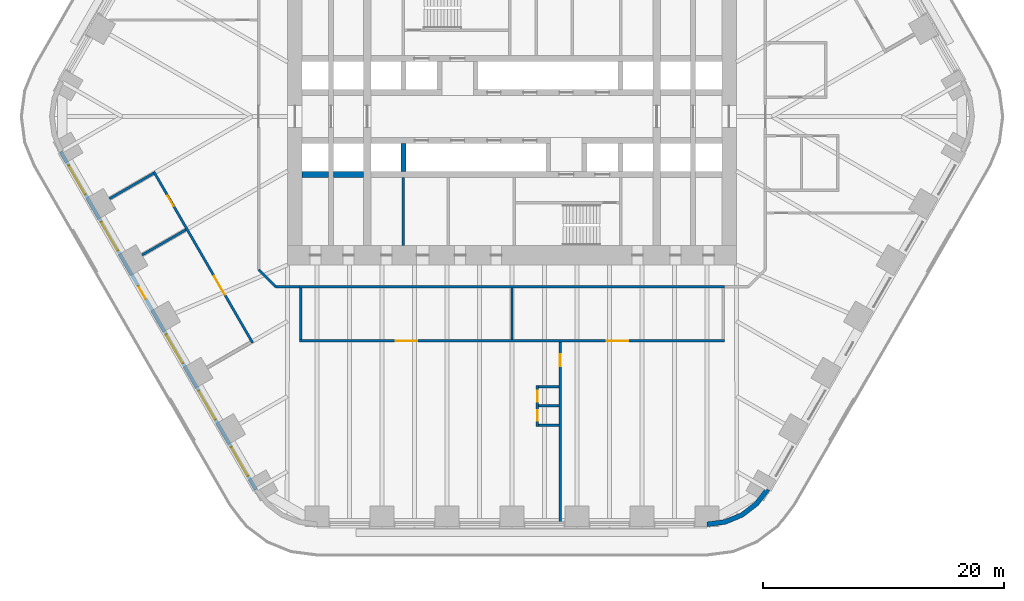
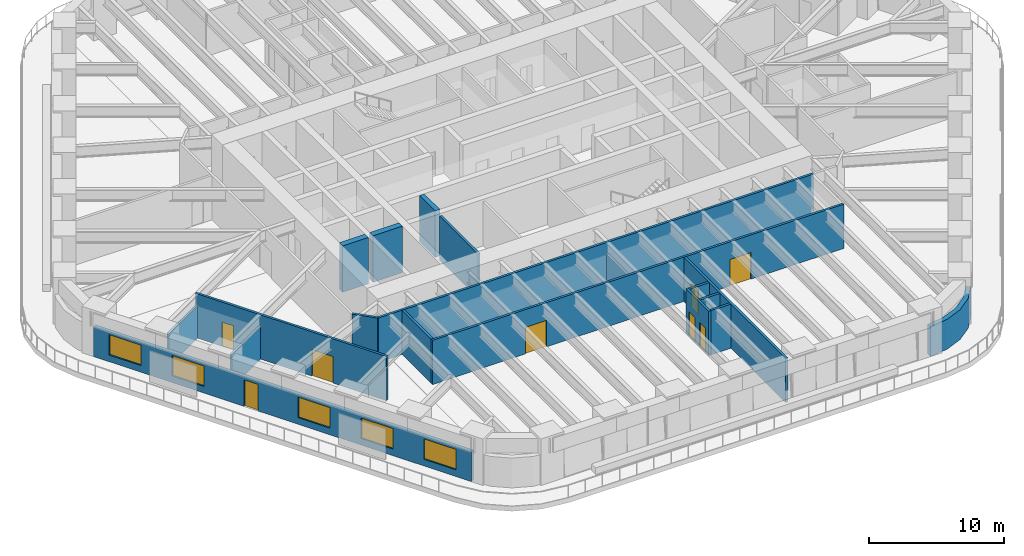
# One storey, part 16 of 24: 20 walls, 8 doors, 5 windows, 13 openings.
"""IFC4 building model written with IfcOpenShell, lengths in metres."""

from ifc_helpers import new_model, si_unit, direction, frame, frame_2d, origin, place, context, subcontext, project, spatial, polyline, rectangle, outline, extrude, material, layer, layer_set, type_object, element, fill, save


model = new_model("IFC4")

# Units and contexts
model_context = context("Model", 3, precision=1e-05, world=origin(), true_north=direction((0.0, 1.0)))
body_context = subcontext(model_context, "Body", "Model", "MODEL_VIEW")
ifc_project = project(units=[si_unit("LENGTHUNIT", "METRE"), si_unit("AREAUNIT", "SQUARE_METRE"), si_unit("VOLUMEUNIT", "CUBIC_METRE"), si_unit("PLANEANGLEUNIT", "RADIAN"), si_unit("MASSUNIT", "GRAM", prefix="KILO")], contexts=[model_context])

# Site, building, storey
site_placement = place(None, origin())
site = spatial("IfcSite", under=ifc_project, at=site_placement, CompositionType="ELEMENT")
building_placement = place(site_placement, origin())
building = spatial("IfcBuilding", under=site, at=building_placement, Name="Tarfa Lantern Tower", CompositionType="ELEMENT")
storey_placement = place(building_placement, frame((0.0, 0.0, 73.89990234375)))
storey = spatial("IfcBuildingStorey", under=building, at=storey_placement, Name="L16", CompositionType="ELEMENT", Elevation=73.89990234375)

# Wall, openings, door, windows
ifc_material_1 = material(Name="Limestone cladding on blockwork", Category="masonry")
ifc_layer_1 = layer(ifc_material_1, 0.300048828125)
ifc_layer_set_1 = layer_set([ifc_layer_1], Name="EW1 STONE-CLAD WALL 300")
wall_type_1 = type_object("IfcWallType", Name="EW1 STONE-CLAD WALL 300", PredefinedType="SOLIDWALL", material=ifc_layer_set_1)
wall_1_placement = place(storey_placement, frame((-37.39794921875, -2.925048828125, 0.0), z_axis=(0.0, 0.0, 1.0), x_axis=(0.499999163675, -0.866025886636, 0.0)))
wall_1 = element("IfcWall", 1, at=wall_1_placement, inside=storey, type_object=wall_type_1, Name="Stone wall SW", PredefinedType="SOLIDWALL", context=body_context, shape_type="SweptSolid", body=[
    extrude(rectangle(XDim=32.33154296875, YDim=0.300048828125, at=frame_2d((16.165771484375, 0.0))), origin(), (0.0, 0.0, 1.0), 2.7001953125),
])
opening_1_placement = place(wall_1_placement, frame((1.3193359375, 0.0, 0.60009765625)))
opening_1 = element("IfcOpeningElement", 2, at=opening_1_placement, cuts=wall_1, Name="Opening W2", PredefinedType="OPENING", context=body_context, shape_type="SweptSolid", body=[
    extrude(rectangle(XDim=2.75, YDim=1.85009765625, at=frame_2d((1.375, 0.925048828125))), frame((0.0, 0.159912109375, 0.0), z_axis=(0.0, -1.0, 0.0), x_axis=(1.0, 0.0, 0.0)), (0.0, 0.0, 1.0), 0.320068359375),
])
opening_2_placement = place(wall_1_placement, frame((6.7080078125, 0.0, 0.60009765625)))
opening_2 = element("IfcOpeningElement", 3, at=opening_2_placement, cuts=wall_1, Name="Opening W2", PredefinedType="OPENING", context=body_context, shape_type="SweptSolid", body=[
    extrude(rectangle(XDim=2.75, YDim=1.85009765625, at=frame_2d((1.375, 0.925048828125))), frame((0.0, 0.159912109375, 0.0), z_axis=(0.0, -1.0, 0.0), x_axis=(1.0, 0.0, 0.0)), (0.0, 0.0, 1.0), 0.320068359375),
])
opening_3_placement = place(wall_1_placement, frame((12.87158203125, 0.0, 0.0)))
opening_3 = element("IfcOpeningElement", 4, at=opening_3_placement, cuts=wall_1, Name="Opening D56", PredefinedType="OPENING", context=body_context, shape_type="SweptSolid", body=[
    extrude(rectangle(XDim=1.199951171875, YDim=2.39990234375, at=frame_2d((0.60009765625, 1.199951171875))), frame((0.0, 0.159912109375, 0.0), z_axis=(0.0, -1.0, 0.0), x_axis=(1.0, 0.0, 0.0)), (0.0, 0.0, 1.0), 0.320068359375),
])
opening_4_placement = place(wall_1_placement, frame((17.485107421875, 0.0, 0.60009765625)))
opening_4 = element("IfcOpeningElement", 5, at=opening_4_placement, cuts=wall_1, Name="Opening W2", PredefinedType="OPENING", context=body_context, shape_type="SweptSolid", body=[
    extrude(rectangle(XDim=2.75, YDim=1.85009765625, at=frame_2d((1.375, 0.925048828125))), frame((0.0, 0.159912109375, 0.0), z_axis=(0.0, -1.0, 0.0), x_axis=(1.0, 0.0, 0.0)), (0.0, 0.0, 1.0), 0.320068359375),
])
opening_5_placement = place(wall_1_placement, frame((22.873779296875, 0.0, 0.60009765625)))
opening_5 = element("IfcOpeningElement", 6, at=opening_5_placement, cuts=wall_1, Name="Opening W2", PredefinedType="OPENING", context=body_context, shape_type="SweptSolid", body=[
    extrude(rectangle(XDim=2.75, YDim=1.85009765625, at=frame_2d((1.375, 0.925048828125))), frame((0.0, 0.159912109375, 0.0), z_axis=(0.0, -1.0, 0.0), x_axis=(1.0, 0.0, 0.0)), (0.0, 0.0, 1.0), 0.320068359375),
])
opening_6_placement = place(wall_1_placement, frame((28.26220703125, 0.0, 0.60009765625)))
opening_6 = element("IfcOpeningElement", 7, at=opening_6_placement, cuts=wall_1, Name="Opening W2", PredefinedType="OPENING", context=body_context, shape_type="SweptSolid", body=[
    extrude(rectangle(XDim=2.75, YDim=1.85009765625, at=frame_2d((1.375, 0.925048828125))), frame((0.0, 0.159912109375, 0.0), z_axis=(0.0, -1.0, 0.0), x_axis=(1.0, 0.0, 0.0)), (0.0, 0.0, 1.0), 0.320068359375),
])
ifc_material_2 = material(Name="Aluminium framed glazed door", Category="aluminium")
door_type_1 = type_object("IfcDoorType", Name="BE3 BALCONY DOOR 1200x2400", OperationType="SINGLE_SWING_RIGHT", PredefinedType="DOOR", material=ifc_material_2)
door_1_placement = place(opening_3_placement, origin())
door_1 = element("IfcDoor", 8, at=door_1_placement, inside=storey, type_object=door_type_1, Name="Balcony door SW", OperationType="SINGLE_SWING_RIGHT", OverallHeight=2.39990234375, OverallWidth=1.199951171875, PredefinedType="DOOR", context=body_context, shape_type="SweptSolid", body=[
    extrude(rectangle(XDim=1.199951171875, YDim=2.39990234375, at=frame_2d((0.60009765625, 1.199951171875))), frame((0.0, 0.02490234375, 0.0), z_axis=(0.0, -1.0, 0.0), x_axis=(1.0, 0.0, 0.0)), (0.0, 0.0, 1.0), 0.050048828125),
])
fill(opening_3, door_1)
ifc_material_3 = material(Name="Aluminium frame, double glazed", Category="aluminium")
window_type = type_object("IfcWindowType", Name="W2 FULL-HEIGHT GLAZING 2750x1850", PartitioningType="SINGLE_PANEL", PredefinedType="WINDOW", material=ifc_material_3)
window_1_placement = place(opening_1_placement, origin())
window_1 = element("IfcWindow", 9, at=window_1_placement, inside=storey, type_object=window_type, Name="Window SW 1", OverallHeight=1.85009765625, OverallWidth=2.75, PartitioningType="SINGLE_PANEL", PredefinedType="WINDOW", context=body_context, shape_type="SweptSolid", body=[
    extrude(rectangle(XDim=2.75, YDim=1.85009765625, at=frame_2d((1.375, 0.925048828125))), frame((0.0, 0.030029296875, 0.0), z_axis=(0.0, -1.0, 0.0), x_axis=(1.0, 0.0, 0.0)), (0.0, 0.0, 1.0), 0.06005859375),
])
fill(opening_1, window_1)
window_2_placement = place(opening_2_placement, origin())
window_2 = element("IfcWindow", 10, at=window_2_placement, inside=storey, type_object=window_type, Name="Window SW 2", OverallHeight=1.85009765625, OverallWidth=2.75, PartitioningType="SINGLE_PANEL", PredefinedType="WINDOW", context=body_context, shape_type="SweptSolid", body=[
    extrude(rectangle(XDim=2.75, YDim=1.85009765625, at=frame_2d((1.375, 0.925048828125))), frame((0.0, 0.030029296875, 0.0), z_axis=(0.0, -1.0, 0.0), x_axis=(1.0, 0.0, 0.0)), (0.0, 0.0, 1.0), 0.06005859375),
])
fill(opening_2, window_2)
window_3_placement = place(opening_4_placement, origin())
window_3 = element("IfcWindow", 11, at=window_3_placement, inside=storey, type_object=window_type, Name="Window SW 4", OverallHeight=1.85009765625, OverallWidth=2.75, PartitioningType="SINGLE_PANEL", PredefinedType="WINDOW", context=body_context, shape_type="SweptSolid", body=[
    extrude(rectangle(XDim=2.75, YDim=1.85009765625, at=frame_2d((1.375, 0.925048828125))), frame((0.0, 0.030029296875, 0.0), z_axis=(0.0, -1.0, 0.0), x_axis=(1.0, 0.0, 0.0)), (0.0, 0.0, 1.0), 0.06005859375),
])
fill(opening_4, window_3)
window_4_placement = place(opening_5_placement, origin())
window_4 = element("IfcWindow", 12, at=window_4_placement, inside=storey, type_object=window_type, Name="Window SW 5", OverallHeight=1.85009765625, OverallWidth=2.75, PartitioningType="SINGLE_PANEL", PredefinedType="WINDOW", context=body_context, shape_type="SweptSolid", body=[
    extrude(rectangle(XDim=2.75, YDim=1.85009765625, at=frame_2d((1.375, 0.925048828125))), frame((0.0, 0.030029296875, 0.0), z_axis=(0.0, -1.0, 0.0), x_axis=(1.0, 0.0, 0.0)), (0.0, 0.0, 1.0), 0.06005859375),
])
fill(opening_5, window_4)
window_5_placement = place(opening_6_placement, origin())
window_5 = element("IfcWindow", 13, at=window_5_placement, inside=storey, type_object=window_type, Name="Window SW 6", OverallHeight=1.85009765625, OverallWidth=2.75, PartitioningType="SINGLE_PANEL", PredefinedType="WINDOW", context=body_context, shape_type="SweptSolid", body=[
    extrude(rectangle(XDim=2.75, YDim=1.85009765625, at=frame_2d((1.375, 0.925048828125))), frame((0.0, 0.030029296875, 0.0), z_axis=(0.0, -1.0, 0.0), x_axis=(1.0, 0.0, 0.0)), (0.0, 0.0, 1.0), 0.06005859375),
])
fill(opening_6, window_5)

# Walls
ifc_layer_2 = layer(ifc_material_1, 0.39990234375)
ifc_layer_set_2 = layer_set([ifc_layer_2], Name="EW2 CURVED STONE CORNER 400")
wall_type_2 = type_object("IfcWallType", Name="EW2 CURVED STONE CORNER 400", PredefinedType="SOLIDWALL", material=ifc_layer_set_2)
wall_2_placement = place(storey_placement, origin())
element("IfcWall", 14, at=wall_2_placement, inside=storey, type_object=wall_type_2, Name="Stone corner S-SE", PredefinedType="SOLIDWALL", context=body_context, shape_type="SweptSolid", body=[
    extrude(outline(polyline([(16.165771484375, -34.0), (17.71875, -33.795654296875), (19.165771484375, -33.196044921875), (20.408447265625, -32.24267578125), (21.362060546875, -31.0), (21.015625, -30.800048828125), (20.12548828125, -31.959716796875), (18.9658203125, -32.849853515625), (17.615234375, -33.4091796875), (16.165771484375, -33.60009765625), (16.165771484375, -34.0)])), origin(), (0.0, 0.0, 1.0), 2.7001953125),
])
ifc_material_4 = material(Name="Concrete blockwork", Category="masonry")
ifc_layer_3 = layer(ifc_material_4, 0.199951171875)
ifc_layer_set_3 = layer_set([ifc_layer_3], Name="IW1 BLOCKWORK PARTITION 200 EI 120")
wall_type_3 = type_object("IfcWallType", Name="IW1 BLOCKWORK PARTITION 200 EI 120", PredefinedType="PARTITIONING", material=ifc_layer_set_3)
wall_3_placement = place(storey_placement, frame((-9.0, -5.050048828125, 0.0), z_axis=(0.0, 0.0, 1.0), x_axis=(0.0, -1.0, 0.0)))
element("IfcWall", 15, at=wall_3_placement, inside=storey, type_object=wall_type_3, Name="Core partition", PredefinedType="PARTITIONING", context=body_context, shape_type="SweptSolid", body=[
    extrude(rectangle(XDim=5.64990234375, YDim=0.199951171875, at=frame_2d((2.824951171875, 0.0))), origin(), (0.0, 0.0, 1.0), 4.0),
])
ifc_material_5 = material(Name="Gypsum board on steel studs", Category="steel")
ifc_layer_4 = layer(ifc_material_5, 0.2099609375)
ifc_layer_set_4 = layer_set([ifc_layer_4], Name="IW2 ACOUSTIC PARTITION 200")
wall_type_4 = type_object("IfcWallType", Name="IW2 ACOUSTIC PARTITION 200", PredefinedType="PARTITIONING", material=ifc_layer_set_4)
wall_4_placement = place(storey_placement, frame((17.60009765625, -14.10009765625, 0.0), z_axis=(0.0, 0.0, 1.0), x_axis=(-1.0, 0.0, 0.0)))
element("IfcWall", 16, at=wall_4_placement, inside=storey, type_object=wall_type_4, Name="Partition", PredefinedType="PARTITIONING", context=body_context, shape_type="SweptSolid", body=[
    extrude(rectangle(XDim=35.2001953125, YDim=0.199951171875, at=frame_2d((17.60009765625, 0.0))), origin(), (0.0, 0.0, 1.0), 4.0),
])

# Wall, openings, doors
wall_5_placement = place(storey_placement, frame((17.60009765625, -18.60009765625, 0.0), z_axis=(0.0, 0.0, 1.0), x_axis=(-1.0, 0.0, 0.0)))
wall_5 = element("IfcWall", 17, at=wall_5_placement, inside=storey, type_object=wall_type_4, Name="Partition", PredefinedType="PARTITIONING", context=body_context, shape_type="SweptSolid", body=[
    extrude(rectangle(XDim=35.2001953125, YDim=0.199951171875, at=frame_2d((17.60009765625, 0.0))), origin(), (0.0, 0.0, 1.0), 4.0),
])
opening_7_placement = place(wall_5_placement, frame((7.949951171875, 0.0, 0.0)))
opening_7 = element("IfcOpeningElement", 18, at=opening_7_placement, cuts=wall_5, Name="Opening D41", PredefinedType="OPENING", context=body_context, shape_type="SweptSolid", body=[
    extrude(rectangle(XDim=1.800048828125, YDim=2.39990234375, at=frame_2d((0.89990234375, 1.199951171875))), frame((0.0, 0.10986328125, 0.0), z_axis=(0.0, -1.0, 0.0), x_axis=(1.0, 0.0, 0.0)), (0.0, 0.0, 1.0), 0.219970703125),
])
opening_8_placement = place(wall_5_placement, frame((25.449951171875, 0.0, 0.0)))
opening_8 = element("IfcOpeningElement", 19, at=opening_8_placement, cuts=wall_5, Name="Opening D42", PredefinedType="OPENING", context=body_context, shape_type="SweptSolid", body=[
    extrude(rectangle(XDim=1.800048828125, YDim=2.39990234375, at=frame_2d((0.89990234375, 1.199951171875))), frame((0.0, 0.10986328125, 0.0), z_axis=(0.0, -1.0, 0.0), x_axis=(1.0, 0.0, 0.0)), (0.0, 0.0, 1.0), 0.219970703125),
])
ifc_material_6 = material(Name="Timber door", Category="wood")
door_type_2 = type_object("IfcDoorType", Name="DR2 ROOM DOOR 1800x2400", OperationType="DOUBLE_DOOR_SINGLE_SWING", PredefinedType="DOOR", material=ifc_material_6)
door_2_placement = place(opening_7_placement, frame((1.800048828125, 0.0, 0.0), z_axis=(0.0, 0.0, 1.0), x_axis=(-1.0, 0.0, 0.0)))
door_2 = element("IfcDoor", 20, at=door_2_placement, inside=storey, type_object=door_type_2, Name="Tender room door", OperationType="DOUBLE_DOOR_SINGLE_SWING", OverallHeight=2.39990234375, OverallWidth=1.800048828125, PredefinedType="DOOR", context=body_context, shape_type="SweptSolid", body=[
    extrude(rectangle(XDim=1.800048828125, YDim=2.39990234375, at=frame_2d((0.89990234375, 1.199951171875))), frame((0.0, 0.02490234375, 0.0), z_axis=(0.0, -1.0, 0.0), x_axis=(1.0, 0.0, 0.0)), (0.0, 0.0, 1.0), 0.050048828125),
])
fill(opening_7, door_2)
door_3_placement = place(opening_8_placement, frame((1.800048828125, 0.0, 0.0), z_axis=(0.0, 0.0, 1.0), x_axis=(-1.0, 0.0, 0.0)))
door_3 = element("IfcDoor", 21, at=door_3_placement, inside=storey, type_object=door_type_2, Name="Tender room door", OperationType="DOUBLE_DOOR_SINGLE_SWING", OverallHeight=2.39990234375, OverallWidth=1.800048828125, PredefinedType="DOOR", context=body_context, shape_type="SweptSolid", body=[
    extrude(rectangle(XDim=1.800048828125, YDim=2.39990234375, at=frame_2d((0.89990234375, 1.199951171875))), frame((0.0, 0.02490234375, 0.0), z_axis=(0.0, -1.0, 0.0), x_axis=(1.0, 0.0, 0.0)), (0.0, 0.0, 1.0), 0.050048828125),
])
fill(opening_8, door_3)

# Walls
wall_6_placement = place(storey_placement, frame((0.0, -14.199951171875, 0.0), z_axis=(0.0, 0.0, 1.0), x_axis=(0.0, -1.0, 0.0)))
element("IfcWall", 22, at=wall_6_placement, inside=storey, type_object=wall_type_4, Name="Partition", PredefinedType="PARTITIONING", context=body_context, shape_type="SweptSolid", body=[
    extrude(rectangle(XDim=4.300048828125, YDim=0.199951171875, at=frame_2d((2.14990234375, 0.0))), origin(), (0.0, 0.0, 1.0), 2.944091796875),
])
wall_7_placement = place(storey_placement, frame((-17.5, -14.199951171875, 0.0), z_axis=(0.0, 0.0, 1.0), x_axis=(0.0, -1.0, 0.0)))
element("IfcWall", 23, at=wall_7_placement, inside=storey, type_object=wall_type_4, Name="Partition", PredefinedType="PARTITIONING", context=body_context, shape_type="SweptSolid", body=[
    extrude(rectangle(XDim=4.300048828125, YDim=0.199951171875, at=frame_2d((2.14990234375, 0.0))), origin(), (0.0, 0.0, 1.0), 4.0),
])

# Wall, openings, doors
wall_8_placement = place(storey_placement, frame((-29.687255859375, -4.580078125, 0.0), z_axis=(0.0, 0.0, 1.0), x_axis=(0.500000949028, -0.866024855862, 0.0)))
wall_8 = element("IfcWall", 24, at=wall_8_placement, inside=storey, type_object=wall_type_4, Name="Partition", PredefinedType="PARTITIONING", context=body_context, shape_type="SweptSolid", body=[
    extrude(rectangle(XDim=16.36572265625, YDim=0.199951171875, at=frame_2d((8.182861328125, 0.0))), origin(), (0.0, 0.0, 1.0), 4.0),
])
opening_9_placement = place(wall_8_placement, frame((2.294189453125, 0.0, 0.0)))
opening_9 = element("IfcOpeningElement", 25, at=opening_9_placement, cuts=wall_8, Name="Opening D39", PredefinedType="OPENING", context=body_context, shape_type="SweptSolid", body=[
    extrude(rectangle(XDim=1.0, YDim=2.199951171875, at=frame_2d((0.5, 1.10009765625))), frame((0.0, 0.10986328125, 0.0), z_axis=(0.0, -1.0, 0.0), x_axis=(1.0, 0.0, 0.0)), (0.0, 0.0, 1.0), 0.219970703125),
])
opening_10_placement = place(wall_8_placement, frame((9.977294921875, 0.0, 0.0)))
opening_10 = element("IfcOpeningElement", 26, at=opening_10_placement, cuts=wall_8, Name="Opening D40", PredefinedType="OPENING", context=body_context, shape_type="SweptSolid", body=[
    extrude(rectangle(XDim=1.800048828125, YDim=2.39990234375, at=frame_2d((0.89990234375, 1.199951171875))), frame((0.0, 0.10986328125, 0.0), z_axis=(0.0, -1.0, 0.0), x_axis=(1.0, 0.0, 0.0)), (0.0, 0.0, 1.0), 0.219970703125),
])
door_type_3 = type_object("IfcDoorType", Name="DR1 ROOM DOOR 1000x2200", OperationType="SINGLE_SWING_LEFT", PredefinedType="DOOR", material=ifc_material_6)
door_4_placement = place(opening_9_placement, frame((1.0, 0.0, 0.0), z_axis=(0.0, 0.0, 1.0), x_axis=(-1.0, 0.0, 0.0)))
door_4 = element("IfcDoor", 27, at=door_4_placement, inside=storey, type_object=door_type_3, Name="Quality inspection room door", OperationType="SINGLE_SWING_LEFT", OverallHeight=2.199951171875, OverallWidth=1.0, PredefinedType="DOOR", context=body_context, shape_type="SweptSolid", body=[
    extrude(rectangle(XDim=1.0, YDim=2.199951171875, at=frame_2d((0.5, 1.10009765625))), frame((0.0, 0.02490234375, 0.0), z_axis=(0.0, -1.0, 0.0), x_axis=(1.0, 0.0, 0.0)), (0.0, 0.0, 1.0), 0.050048828125),
])
fill(opening_9, door_4)
door_5_placement = place(opening_10_placement, frame((1.800048828125, 0.0, 0.0), z_axis=(0.0, 0.0, 1.0), x_axis=(-1.0, 0.0, 0.0)))
door_5 = element("IfcDoor", 28, at=door_5_placement, inside=storey, type_object=door_type_2, Name="File room door", OperationType="DOUBLE_DOOR_SINGLE_SWING", OverallHeight=2.39990234375, OverallWidth=1.800048828125, PredefinedType="DOOR", context=body_context, shape_type="SweptSolid", body=[
    extrude(rectangle(XDim=1.800048828125, YDim=2.39990234375, at=frame_2d((0.89990234375, 1.199951171875))), frame((0.0, 0.02490234375, 0.0), z_axis=(0.0, -1.0, 0.0), x_axis=(1.0, 0.0, 0.0)), (0.0, 0.0, 1.0), 0.050048828125),
])
fill(opening_10, door_5)

# Walls
for number, where, z_axis, x_axis, name in (
    (29, (-29.723876953125, -4.716552734375, 0.0), (0.0, 0.0, 1.0), (-0.866023935413, -0.500002543286, 0.0), "Partition"),
    (30, (-27.029541015625, -9.38330078125, 0.0), (0.0, 0.0, 1.0), (-0.866023935413, -0.500002543286, 0.0), "Partition"),
):
    element("IfcWall", number, at=place(storey_placement, frame(where, z_axis=z_axis, x_axis=x_axis)), inside=storey, type_object=wall_type_4, Name=name, PredefinedType="PARTITIONING", context=body_context, shape_type="SweptSolid", body=[
        extrude(rectangle(XDim=4.2001953125, YDim=0.199951171875, at=frame_2d((2.10009765625, 0.0))), origin(), (0.0, 0.0, 1.0), 2.944091796875),
    ])
wall_9_placement = place(storey_placement, frame((-17.60009765625, -14.10009765625, 0.0), z_axis=(0.0, 0.0, 1.0), x_axis=(-1.0, 0.0, 0.0)))
element("IfcWall", 31, at=wall_9_placement, inside=storey, type_object=wall_type_4, Name="Partition", PredefinedType="PARTITIONING", context=body_context, shape_type="SweptSolid", body=[
    extrude(rectangle(XDim=2.0, YDim=0.199951171875, at=frame_2d((1.0, 0.0))), origin(), (0.0, 0.0, 1.0), 4.0),
])
wall_10_placement = place(storey_placement, frame((-19.60009765625, -14.10009765625, 0.0), z_axis=(0.0, 0.0, 1.0), x_axis=(-0.707045124756, 0.707168432242, 0.0)))
element("IfcWall", 32, at=wall_10_placement, inside=storey, type_object=wall_type_4, Name="Partition", PredefinedType="PARTITIONING", context=body_context, shape_type="SweptSolid", body=[
    extrude(rectangle(XDim=1.97998046875, YDim=0.199951171875, at=frame_2d((0.989990234375, 0.0))), origin(), (0.0, 0.0, 1.0), 4.0),
])

# Wall, opening, door
wall_11_placement = place(storey_placement, frame((4.0, -18.699951171875, 0.0), z_axis=(0.0, 0.0, 1.0), x_axis=(0.0, -1.0, 0.0)))
wall_11 = element("IfcWall", 33, at=wall_11_placement, inside=storey, type_object=wall_type_4, Name="Partition", PredefinedType="PARTITIONING", context=body_context, shape_type="SweptSolid", body=[
    extrude(rectangle(XDim=15.10009765625, YDim=0.199951171875, at=frame_2d((7.550048828125, 0.0))), origin(), (0.0, 0.0, 1.0), 4.0),
])
opening_11_placement = place(wall_11_placement, frame((1.010009765625, 0.0, 0.0)))
opening_11 = element("IfcOpeningElement", 34, at=opening_11_placement, cuts=wall_11, Name="Opening D52", PredefinedType="OPENING", context=body_context, shape_type="SweptSolid", body=[
    extrude(rectangle(XDim=1.0, YDim=2.199951171875, at=frame_2d((0.5, 1.10009765625))), frame((0.0, 0.10986328125, 0.0), z_axis=(0.0, -1.0, 0.0), x_axis=(1.0, 0.0, 0.0)), (0.0, 0.0, 1.0), 0.219970703125),
])
door_6_placement = place(opening_11_placement, origin())
door_6 = element("IfcDoor", 35, at=door_6_placement, inside=storey, type_object=door_type_3, Name="Zone door", OperationType="SINGLE_SWING_RIGHT", OverallHeight=2.199951171875, OverallWidth=1.0, PredefinedType="DOOR", context=body_context, shape_type="SweptSolid", body=[
    extrude(rectangle(XDim=1.0, YDim=2.199951171875, at=frame_2d((0.5, 1.10009765625))), frame((0.0, 0.02490234375, 0.0), z_axis=(0.0, -1.0, 0.0), x_axis=(1.0, 0.0, 0.0)), (0.0, 0.0, 1.0), 0.050048828125),
])
fill(opening_11, door_6)

# Wall, openings, doors
wall_12_placement = place(storey_placement, frame((2.10009765625, -22.284912109375, 0.0), z_axis=(0.0, 0.0, 1.0), x_axis=(0.0, -1.0, 0.0)))
wall_12 = element("IfcWall", 36, at=wall_12_placement, inside=storey, type_object=wall_type_4, Name="Partition", PredefinedType="PARTITIONING", context=body_context, shape_type="SweptSolid", body=[
    extrude(rectangle(XDim=3.400146484375, YDim=0.199951171875, at=frame_2d((1.7001953125, 0.0))), origin(), (0.0, 0.0, 1.0), 4.0),
])
opening_12_placement = place(wall_12_placement, frame((0.449951171875, 0.0, 0.0)))
opening_12 = element("IfcOpeningElement", 37, at=opening_12_placement, cuts=wall_12, Name="Opening D45", PredefinedType="OPENING", context=body_context, shape_type="SweptSolid", body=[
    extrude(rectangle(XDim=0.89990234375, YDim=2.199951171875, at=frame_2d((0.449951171875, 1.10009765625))), frame((0.0, 0.10986328125, 0.0), z_axis=(0.0, -1.0, 0.0), x_axis=(1.0, 0.0, 0.0)), (0.0, 0.0, 1.0), 0.219970703125),
])
opening_13_placement = place(wall_12_placement, frame((2.050048828125, 0.0, 0.0)))
opening_13 = element("IfcOpeningElement", 38, at=opening_13_placement, cuts=wall_12, Name="Opening D46", PredefinedType="OPENING", context=body_context, shape_type="SweptSolid", body=[
    extrude(rectangle(XDim=0.89990234375, YDim=2.199951171875, at=frame_2d((0.449951171875, 1.10009765625))), frame((0.0, 0.10986328125, 0.0), z_axis=(0.0, -1.0, 0.0), x_axis=(1.0, 0.0, 0.0)), (0.0, 0.0, 1.0), 0.219970703125),
])
door_type_4 = type_object("IfcDoorType", Name="DR3 ROOM DOOR 900x2200", OperationType="SINGLE_SWING_LEFT", PredefinedType="DOOR", material=ifc_material_6)
door_7_placement = place(opening_12_placement, origin())
door_7 = element("IfcDoor", 39, at=door_7_placement, inside=storey, type_object=door_type_4, Name="Phone booth door", OperationType="SINGLE_SWING_RIGHT", OverallHeight=2.199951171875, OverallWidth=0.89990234375, PredefinedType="DOOR", context=body_context, shape_type="SweptSolid", body=[
    extrude(rectangle(XDim=0.89990234375, YDim=2.199951171875, at=frame_2d((0.449951171875, 1.10009765625))), frame((0.0, 0.02490234375, 0.0), z_axis=(0.0, -1.0, 0.0), x_axis=(1.0, 0.0, 0.0)), (0.0, 0.0, 1.0), 0.050048828125),
])
fill(opening_12, door_7)
door_8_placement = place(opening_13_placement, origin())
door_8 = element("IfcDoor", 40, at=door_8_placement, inside=storey, type_object=door_type_4, Name="Phone booth door", OperationType="SINGLE_SWING_LEFT", OverallHeight=2.199951171875, OverallWidth=0.89990234375, PredefinedType="DOOR", context=body_context, shape_type="SweptSolid", body=[
    extrude(rectangle(XDim=0.89990234375, YDim=2.199951171875, at=frame_2d((0.449951171875, 1.10009765625))), frame((0.0, 0.02490234375, 0.0), z_axis=(0.0, -1.0, 0.0), x_axis=(1.0, 0.0, 0.0)), (0.0, 0.0, 1.0), 0.050048828125),
])
fill(opening_13, door_8)

# Walls
for number, where, z_axis, x_axis, name in (
    (41, (3.89990234375, -22.385009765625, 0.0), (0.0, 0.0, 1.0), (-1.0, 0.0, 0.0), "Partition"),
    (42, (3.89990234375, -23.985107421875, 0.0), (0.0, 0.0, 1.0), (-1.0, 0.0, 0.0), "Partition"),
    (43, (3.89990234375, -25.5849609375, 0.0), (0.0, 0.0, 1.0), (-1.0, 0.0, 0.0), "Partition"),
):
    element("IfcWall", number, at=place(storey_placement, frame(where, z_axis=z_axis, x_axis=x_axis)), inside=storey, type_object=wall_type_4, Name=name, PredefinedType="PARTITIONING", context=body_context, shape_type="SweptSolid", body=[
        extrude(rectangle(XDim=1.699951171875, YDim=0.199951171875, at=frame_2d((0.85009765625, 0.0))), origin(), (0.0, 0.0, 1.0), 4.0),
    ])
ifc_material_7 = material(Name="Concrete C80/95", Category="concrete")
ifc_layer_5 = layer(ifc_material_7, 0.5)
ifc_layer_set_5 = layer_set([ifc_layer_5], Name="SW5 CORE WALL 500")
wall_type_5 = type_object("IfcWallType", Name="SW5 CORE WALL 500", PredefinedType="SHEAR", material=ifc_layer_set_5)
wall_13_placement = place(storey_placement, frame((-12.300048828125, -4.800048828125, 0.0), z_axis=(0.0, 0.0, 1.0), x_axis=(-1.0, 0.0, 0.0)))
element("IfcWall", 44, at=wall_13_placement, inside=storey, type_object=wall_type_5, Name="Core wall rear S", PredefinedType="SHEAR", context=body_context, shape_type="SweptSolid", body=[
    extrude(rectangle(XDim=2.5, YDim=0.5, at=frame_2d((1.25, 0.0))), origin(), (0.0, 0.0, 1.0), 4.2001953125),
])
wall_14_placement = place(storey_placement, frame((-15.199951171875, -4.800048828125, 0.0), z_axis=(0.0, 0.0, 1.0), x_axis=(-1.0, 0.0, 0.0)))
element("IfcWall", 45, at=wall_14_placement, inside=storey, type_object=wall_type_5, Name="Core wall rear S", PredefinedType="SHEAR", context=body_context, shape_type="SweptSolid", body=[
    extrude(rectangle(XDim=2.199951171875, YDim=0.5, at=frame_2d((1.10009765625, 0.0))), origin(), (0.0, 0.0, 1.0), 4.2001953125),
])
ifc_layer_6 = layer(ifc_material_7, 0.39990234375)
ifc_layer_set_6 = layer_set([ifc_layer_6], Name="SW6 CORE WALL 400")
wall_type_6 = type_object("IfcWallType", Name="SW6 CORE WALL 400", PredefinedType="SHEAR", material=ifc_layer_set_6)
wall_15_placement = place(storey_placement, frame((-9.0, -2.25, 0.0), z_axis=(0.0, 0.0, 1.0), x_axis=(0.0, -1.0, 0.0)))
element("IfcWall", 46, at=wall_15_placement, inside=storey, type_object=wall_type_6, Name="Core wall divider S", PredefinedType="SHEAR", context=body_context, shape_type="SweptSolid", body=[
    extrude(rectangle(XDim=2.300048828125, YDim=0.39990234375, at=frame_2d((1.14990234375, 0.0))), origin(), (0.0, 0.0, 1.0), 4.2001953125),
])

save(model, "model.ifc")
